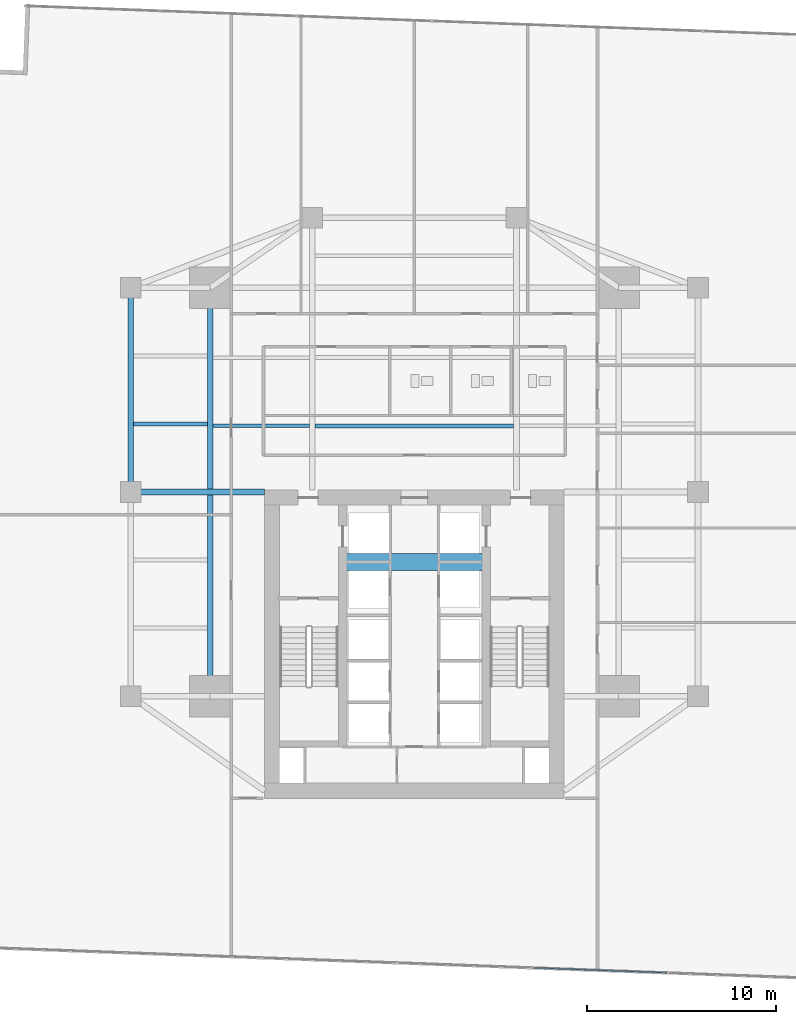
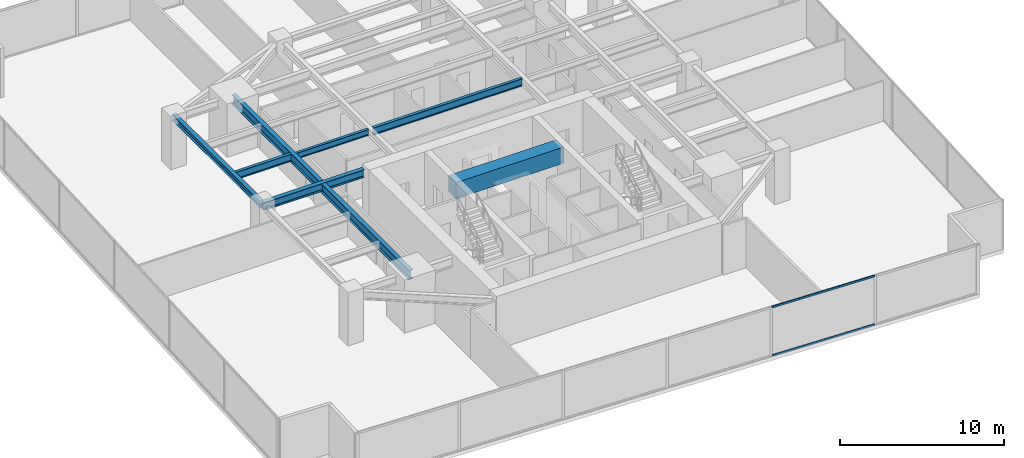
# One storey, part 11 of 30: 7 beams, 2 members, 1 element without a shape of its own.
"""IFC4 building model written with IfcOpenShell, lengths in metres."""

import ifcopenshell
import ifcopenshell.guid

model = None  # the IFC model being written
_history = None  # IfcOwnerHistory: only IFC2X3 demands one
_inside = {}  # id of a spatial element -> (the spatial element, [elements in it])
_under = {}  # id of a project, library or spatial element -> (it, [spatial elements below it])
_declared = {}  # id of a project -> (the project, [libraries it declares])
_typed = {}  # id of a type object -> (the type object, [elements of that type])
_made_of = {}  # id of a material, layer set ... -> (it, [elements and type objects made of it])


def new_model(schema):
    """Start an empty IFC model of exactly this schema.

    Asked for "IFC4X3", IfcOpenShell would pick the latest addendum, in which some entities
    have other attributes; the version numbers below select the first issue.
    IFC2X3 requires an IfcOwnerHistory on every rooted entity: one is made here for all.
    """
    global model, _history
    if schema == "IFC4X3":
        model = ifcopenshell.file(schema_version=(4, 3, 0, 0))
    else:
        model = ifcopenshell.file(schema=schema)
    _inside.clear()
    _under.clear()
    _declared.clear()
    _typed.clear()
    _made_of.clear()
    _history = None
    if model.schema == "IFC2X3":
        org = make("IfcOrganization", Name="unknown")
        user = make(
            "IfcPersonAndOrganization",
            ThePerson=make("IfcPerson", FamilyName="unknown"),
            TheOrganization=org,
        )
        app = make(
            "IfcApplication",
            ApplicationDeveloper=org,
            Version="unknown",
            ApplicationFullName="unknown",
            ApplicationIdentifier="unknown",
        )
        _history = make(
            "IfcOwnerHistory",
            OwningUser=user,
            OwningApplication=app,
            ChangeAction="ADDED",
            CreationDate=0,
        )
    return model


def make(cls, **values):
    """One entity of the class cls with the attributes given. An attribute that is None is left unset."""
    return model.create_entity(
        cls, **{name: value for name, value in values.items() if value is not None}
    )


def rooted(cls, **values):
    """An entity with a GlobalId (a new one), such as an element, a storey or a relation."""
    return make(cls, GlobalId=ifcopenshell.guid.new(), OwnerHistory=_history, **values)


def si_unit(unit_type, name, prefix=None):
    """IfcSIUnit, for example si_unit("LENGTHUNIT", "METRE", prefix="MILLI")."""
    return make("IfcSIUnit", UnitType=unit_type, Prefix=prefix, Name=name)


def assignment(units):
    """IfcUnitAssignment: the units of a project."""
    return None if units is None else make("IfcUnitAssignment", Units=units)


def point(xyz):
    """IfcCartesianPoint."""
    return None if xyz is None else make("IfcCartesianPoint", Coordinates=xyz)


def direction(xyz):
    """IfcDirection."""
    return None if xyz is None else make("IfcDirection", DirectionRatios=xyz)


def frame(location, z_axis=None, x_axis=None):
    """IfcAxis2Placement3D, a coordinate frame: its origin and axes. An axis left out is left unset."""
    return make(
        "IfcAxis2Placement3D",
        Location=point(location),
        Axis=direction(z_axis),
        RefDirection=direction(x_axis),
    )


def frame_2d(location, x_axis=None):
    """IfcAxis2Placement2D, a coordinate frame in the plane: its origin and x axis."""
    return make(
        "IfcAxis2Placement2D", Location=point(location), RefDirection=direction(x_axis)
    )


def origin():
    """The frame at (0, 0, 0) with its axes left unset."""
    return frame((0.0, 0.0, 0.0))


def origin_2d():
    """The frame at (0, 0) in the plane with its x axis left unset."""
    return frame_2d((0.0, 0.0))


def place(relative_to, where):
    """IfcLocalPlacement: puts the frame where relative to a parent placement (None: the world)."""
    return make(
        "IfcLocalPlacement", PlacementRelTo=relative_to, RelativePlacement=where
    )


def context(
    kind, dimensions, precision=None, world=None, true_north=None, identifier=None
):
    """IfcGeometricRepresentationContext, for example the 3D "Model" context."""
    return make(
        "IfcGeometricRepresentationContext",
        ContextIdentifier=identifier,
        ContextType=kind,
        CoordinateSpaceDimension=dimensions,
        Precision=precision,
        WorldCoordinateSystem=world,
        TrueNorth=true_north,
    )


def subcontext(parent, identifier, kind, view, scale=None):
    """IfcGeometricRepresentationSubContext, for example "Body" below "Model"."""
    return make(
        "IfcGeometricRepresentationSubContext",
        ContextIdentifier=identifier,
        ContextType=kind,
        ParentContext=parent,
        TargetScale=scale,
        TargetView=view,
    )


def project(units=None, contexts=None):
    """IfcProject with its units and contexts."""
    return rooted(
        "IfcProject",
        Name="project",
        RepresentationContexts=contexts,
        UnitsInContext=assignment(units),
    )


def spatial(cls, under=None, at=None, **own):
    """A site, building, storey or space (cls), placed at a placement, below another one or the project."""
    s = rooted(cls, ObjectPlacement=at, **own)
    if under is not None:
        _under.setdefault(under.id(), (under, []))[1].append(s)
    return s


def profile(cls, at=None, kind="AREA", **sizes):
    """A parametric profile (cls). Its sizes go by their IFC names, for example OverallWidth=200.0."""
    return make(cls, ProfileType=kind, Position=at, **sizes)


def rectangle(**sizes):
    """IfcRectangleProfileDef."""
    return profile("IfcRectangleProfileDef", **sizes)


def hollow_rectangle(**sizes):
    """IfcRectangleHollowProfileDef."""
    return profile("IfcRectangleHollowProfileDef", **sizes)


def i_section(**sizes):
    """IfcIShapeProfileDef."""
    return profile("IfcIShapeProfileDef", **sizes)


def extrude(swept, where, along, depth):
    """IfcExtrudedAreaSolid: the profile swept, set in the frame where, extruded along a direction by depth."""
    return make(
        "IfcExtrudedAreaSolid",
        SweptArea=swept,
        Position=where,
        ExtrudedDirection=direction(along),
        Depth=depth,
    )


def shape(context_of_items, identifier, shape_type, items):
    """IfcShapeRepresentation: the items that make up one representation, for example the "Body"."""
    return make(
        "IfcShapeRepresentation",
        ContextOfItems=context_of_items,
        RepresentationIdentifier=identifier,
        RepresentationType=shape_type,
        Items=items,
    )


def source(mapping_origin, context_of_items, identifier, shape_type, items):
    """IfcRepresentationMap: a shape defined once, which mapped items show again and again."""
    return make(
        "IfcRepresentationMap",
        MappingOrigin=mapping_origin,
        MappedRepresentation=shape(context_of_items, identifier, shape_type, items),
    )


def transform(
    local_origin,
    x_axis=None,
    y_axis=None,
    z_axis=None,
    scale=None,
    scale2=None,
    scale3=None,
    uniform=True,
):
    """IfcCartesianTransformationOperator3D, or its non-uniform kind. x_axis, y_axis, z_axis: its Axis1, 2, 3."""
    if uniform:
        return make(
            "IfcCartesianTransformationOperator3D",
            Axis1=direction(x_axis),
            Axis2=direction(y_axis),
            LocalOrigin=point(local_origin),
            Scale=scale,
            Axis3=direction(z_axis),
        )
    return make(
        "IfcCartesianTransformationOperator3DnonUniform",
        Axis1=direction(x_axis),
        Axis2=direction(y_axis),
        LocalOrigin=point(local_origin),
        Scale=scale,
        Axis3=direction(z_axis),
        Scale2=scale2,
        Scale3=scale3,
    )


def mapped(mapping_source, mapping_target):
    """IfcMappedItem: shows the shape of a source again, moved by a transform."""
    return make(
        "IfcMappedItem", MappingSource=mapping_source, MappingTarget=mapping_target
    )


def material(Name=None, Category=None):
    """IfcMaterial."""
    return make("IfcMaterial", Name=Name, Category=Category)


def material_profile(
    of_material, cross_section, Name=None, Category=None, Priority=None
):
    """IfcMaterialProfile: a cross section and its material."""
    return make(
        "IfcMaterialProfile",
        Name=Name,
        Material=of_material,
        Profile=cross_section,
        Priority=Priority,
        Category=Category,
    )


def profile_set(profiles, Name=None, composite=None):
    """IfcMaterialProfileSet."""
    return make(
        "IfcMaterialProfileSet",
        Name=Name,
        MaterialProfiles=profiles,
        CompositeProfile=composite,
    )


def made_of(thing, what):
    """Note that an element or type object is made of a material, layer set ...; save() writes the relation."""
    if what is not None:
        _made_of.setdefault(what.id(), (what, []))[1].append(thing)
    return thing


def type_object(cls, material=None, **own):
    """A type object (cls), such as IfcWallType, which elements share."""
    return made_of(rooted(cls, **own), material)


def type_shapes(of_type, sources):
    """Give a type object the sources (RepresentationMaps) that its elements show as mapped items."""
    of_type.RepresentationMaps = sources


def element(
    cls,
    number,
    at=None,
    inside=None,
    cuts=None,
    type_object=None,
    material=None,
    context=None,
    identifier="Body",
    shape_type=None,
    held_by="IfcProductDefinitionShape",
    body=None,
    shapes=None,
    **own,
):
    """One element of the class cls, such as IfcWall. Its Tag is "e" and its number.

    at: its placement. inside: the storey or other place that contains it. cuts: it is an
    opening in that element (IfcRelVoidsElement). A single representation is given by context,
    identifier, shape_type and body (its items); several are given by shapes. held_by: the class
    of the entity that holds the representations. save() writes the other relations.
    """
    e = rooted(cls, Tag="e%d" % number, ObjectPlacement=at, **own)
    if body is not None:
        shapes = [shape(context, identifier, shape_type, body)]
    if shapes is not None:
        e.Representation = make(held_by, Representations=shapes)
    if inside is not None:
        _inside.setdefault(inside.id(), (inside, []))[1].append(e)
    if cuts is not None:
        rooted(
            "IfcRelVoidsElement", RelatingBuildingElement=cuts, RelatedOpeningElement=e
        )
    if type_object is not None:
        _typed.setdefault(type_object.id(), (type_object, []))[1].append(e)
    return made_of(e, material)


def aggregate(whole, parts):
    """IfcRelAggregates: a whole, such as a stair, and the parts it consists of."""
    return rooted("IfcRelAggregates", RelatingObject=whole, RelatedObjects=parts)


def save(model, path):
    """Write the relations noted so far, then the file.

    IfcRelAggregates (storeys below a building ...), IfcRelContainedInSpatialStructure (elements
    in a storey), IfcRelDefinesByType, IfcRelAssociatesMaterial and IfcRelDeclares: one each for
    every whole, place, type object, material and project.
    """
    for whole, parts in _under.values():
        aggregate(whole, parts)
    for where, things in _inside.values():
        rooted(
            "IfcRelContainedInSpatialStructure",
            RelatedElements=things,
            RelatingStructure=where,
        )
    for kind, things in _typed.values():
        rooted("IfcRelDefinesByType", RelatedObjects=things, RelatingType=kind)
    for what, things in _made_of.values():
        rooted("IfcRelAssociatesMaterial", RelatedObjects=things, RelatingMaterial=what)
    for by, libraries in _declared.values():
        rooted("IfcRelDeclares", RelatingContext=by, RelatedDefinitions=libraries)
    model.write(path)


model = new_model("IFC4")

# Units and contexts
model_context = context("Model", 3, precision=1e-05, world=origin(), true_north=direction((0.0, 1.0)))
body_context = subcontext(model_context, "Body", "Model", "MODEL_VIEW")
ifc_project = project(units=[si_unit("LENGTHUNIT", "METRE"), si_unit("AREAUNIT", "SQUARE_METRE"), si_unit("VOLUMEUNIT", "CUBIC_METRE"), si_unit("PLANEANGLEUNIT", "RADIAN"), si_unit("MASSUNIT", "GRAM", prefix="KILO")], contexts=[model_context])

# Site, building, storey
site_placement = place(None, origin())
site = spatial("IfcSite", under=ifc_project, at=site_placement, CompositionType="ELEMENT")
building_placement = place(site_placement, origin())
building = spatial("IfcBuilding", under=site, at=building_placement, Name="Krantzveldt Concourse Tower", CompositionType="ELEMENT")
storey_placement = place(building_placement, frame((0.0, 0.0, 36.85009765625)))
storey = spatial("IfcBuildingStorey", under=building, at=storey_placement, Name="L08", CompositionType="ELEMENT", Elevation=36.85009765625)

# Beams
ifc_material_1 = material(Name="Concrete C50/60", Category="concrete")
ifc_material_profile_1 = material_profile(ifc_material_1, rectangle(XDim=0.89990234375, YDim=1.199951171875, at=origin_2d()), Name="Concrete C50/60", Category="concrete")
ifc_profile_set_1 = profile_set([ifc_material_profile_1], Name="Concrete C50/60 - RC-CB 900x1200")
beam_type_1 = type_object("IfcBeamType", Name="BM-CB-1200", PredefinedType="LINTEL", material=ifc_profile_set_1)
shared_shape_1 = source(origin(), body_context, "Body", "SweptSolid", [
    extrude(rectangle(XDim=0.89990234375, YDim=1.199951171875, at=origin_2d()), origin(), (0.0, 0.0, 1.0), 7.580078125),
])
type_shapes(beam_type_1, [shared_shape_1])
beam_1_placement = place(storey_placement, frame((32.2099609375, 23.0, 3.06982421875), z_axis=(1.0, 0.0, 0.0), x_axis=(0.0, 1.0, 0.0)))
element("IfcBeam", 1, at=beam_1_placement, inside=storey, type_object=beam_type_1, Name="CB-L08-01", PredefinedType="LINTEL", context=body_context, shape_type="MappedRepresentation", body=[
    mapped(shared_shape_1, transform((0.0, 0.0, 0.0), x_axis=(1.0, 0.0, 0.0), y_axis=(0.0, 1.0, 0.0), z_axis=(0.0, 0.0, 1.0), scale=1.0)),
])
ifc_material_2 = material(Name="Steel S355J2", Category="steel")
ifc_material_profile_2 = material_profile(ifc_material_2, i_section(OverallWidth=0.300048828125, OverallDepth=0.699951171875, WebThickness=0.01708984375, FlangeThickness=0.031982421875, FilletRadius=0.027099609375, at=origin_2d()), Name="Steel S355J2", Category="steel")
ifc_profile_set_2 = profile_set([ifc_material_profile_2], Name="Steel S355J2 - HEB 700")
beam_type_2 = type_object("IfcBeamType", Name="BM-B-HEB700", PredefinedType="BEAM", material=ifc_profile_set_2)
shared_shape_2 = source(origin(), body_context, "Body", "SweptSolid", [
    extrude(i_section(OverallWidth=0.300048828125, OverallDepth=0.699951171875, WebThickness=0.01708984375, FlangeThickness=0.031982421875, FilletRadius=0.027099609375, at=origin_2d()), origin(), (0.0, 0.0, 1.0), 21.60009765625),
])
type_shapes(beam_type_2, [shared_shape_2])
beam_2_placement = place(storey_placement, frame((25.199951171875, 15.89990234375, 3.31982421875), z_axis=(0.0, 1.0, 0.0), x_axis=(-1.0, 0.0, 0.0)))
element("IfcBeam", 2, at=beam_2_placement, inside=storey, type_object=beam_type_2, Name="L08 Tower Girder BG-MW", PredefinedType="BEAM", context=body_context, shape_type="MappedRepresentation", body=[
    mapped(shared_shape_2, transform((0.0, 0.0, 0.0), x_axis=(1.0, 0.0, 0.0), y_axis=(0.0, 1.0, 0.0), z_axis=(0.0, 0.0, 1.0), scale=1.0)),
])
ifc_material_3 = material(Name="Steel S355JR", Category="steel")
ifc_material_profile_3 = material_profile(ifc_material_3, i_section(OverallWidth=0.300048828125, OverallDepth=0.590087890625, WebThickness=0.012939453125, FlangeThickness=0.02490234375, FilletRadius=0.027099609375, at=origin_2d()), Name="Steel S355JR", Category="steel")
ifc_profile_set_3 = profile_set([ifc_material_profile_3], Name="Steel S355JR - HEA 600")
beam_type_3 = type_object("IfcBeamType", Name="BM-B-HEA600", PredefinedType="BEAM", material=ifc_profile_set_3)
shared_shape_3 = source(origin(), body_context, "Body", "SweptSolid", [
    extrude(i_section(OverallWidth=0.300048828125, OverallDepth=0.590087890625, WebThickness=0.012939453125, FlangeThickness=0.02490234375, FilletRadius=0.027099609375, at=origin_2d()), origin(), (0.0, 0.0, 1.0), 7.080078125),
])
type_shapes(beam_type_3, [shared_shape_3])
beam_3_placement = place(storey_placement, frame((21.0, 26.699951171875, 3.375), z_axis=(1.0, 0.0, 0.0), x_axis=(0.0, 1.0, 0.0)))
element("IfcBeam", 3, at=beam_3_placement, inside=storey, type_object=beam_type_3, Name="L08 Tower Girder BG-CW2", PredefinedType="BEAM", context=body_context, shape_type="MappedRepresentation", body=[
    mapped(shared_shape_3, transform((0.0, 0.0, 0.0), x_axis=(1.0, 0.0, 0.0), y_axis=(0.0, 1.0, 0.0), z_axis=(0.0, 0.0, 1.0), scale=1.0)),
])
ifc_material_profile_4 = material_profile(ifc_material_3, i_section(OverallWidth=0.300048828125, OverallDepth=0.43994140625, WebThickness=0.011474609375, FlangeThickness=0.02099609375, FilletRadius=0.027099609375, at=origin_2d()), Name="Steel S355JR", Category="steel")
ifc_profile_set_4 = profile_set([ifc_material_profile_4], Name="Steel S355JR - HEA 450")
beam_type_4 = type_object("IfcBeamType", Name="BM-SP-HEA450", PredefinedType="SPANDREL", material=ifc_profile_set_4)
shared_shape_4 = source(origin(), body_context, "Body", "SweptSolid", [
    extrude(i_section(OverallWidth=0.300048828125, OverallDepth=0.43994140625, WebThickness=0.011474609375, FlangeThickness=0.02099609375, FilletRadius=0.027099609375, at=origin_2d()), origin(), (0.0, 0.0, 1.0), 10.800048828125),
])
type_shapes(beam_type_4, [shared_shape_4])
beam_4_placement = place(storey_placement, frame((21.0, 26.699951171875, 3.449951171875), z_axis=(0.0, 1.0, 0.0), x_axis=(-1.0, 0.0, 0.0)))
element("IfcBeam", 4, at=beam_4_placement, inside=storey, type_object=beam_type_4, Name="L08 Tower Girder SP-R02", PredefinedType="SPANDREL", context=body_context, shape_type="MappedRepresentation", body=[
    mapped(shared_shape_4, transform((0.0, 0.0, 0.0), x_axis=(1.0, 0.0, 0.0), y_axis=(0.0, 1.0, 0.0), z_axis=(0.0, 0.0, 1.0), scale=1.0)),
])
ifc_material_profile_5 = material_profile(ifc_material_3, i_section(OverallWidth=0.2099609375, OverallDepth=0.550048828125, WebThickness=0.010986328125, FlangeThickness=0.01708984375, FilletRadius=0.02392578125, at=origin_2d()), Name="Steel S355JR", Category="steel")
ifc_profile_set_5 = profile_set([ifc_material_profile_5], Name="Steel S355JR - IPE 550")
beam_type_5 = type_object("IfcBeamType", Name="BM-J-IPE550", PredefinedType="JOIST", material=ifc_profile_set_5)
shared_shape_5 = source(origin(), body_context, "Body", "SweptSolid", [
    extrude(i_section(OverallWidth=0.2099609375, OverallDepth=0.550048828125, WebThickness=0.010986328125, FlangeThickness=0.01708984375, FilletRadius=0.02392578125, at=origin_2d()), origin(), (0.0, 0.0, 1.0), 10.5),
])
beam_5_placement = place(storey_placement, frame((30.75, 30.199951171875, 3.39501953125), z_axis=(1.0, 0.0, 0.0), x_axis=(0.0, 1.0, 0.0)))
element("IfcBeam", 5, at=beam_5_placement, inside=storey, type_object=beam_type_5, Name="L08 Secondary Floor Joist JN-C1", PredefinedType="JOIST", context=body_context, shape_type="MappedRepresentation", body=[
    mapped(shared_shape_5, transform((0.0, 0.0, 0.0), x_axis=(1.0, 0.0, 0.0), y_axis=(0.0, 1.0, 0.0), z_axis=(0.0, 0.0, 1.0), scale=1.0)),
])
ifc_material_profile_6 = material_profile(ifc_material_3, i_section(OverallWidth=0.18994140625, OverallDepth=0.449951171875, WebThickness=0.009521484375, FlangeThickness=0.0146484375, FilletRadius=0.02099609375, at=origin_2d()), Name="Steel S355JR", Category="steel")
ifc_profile_set_6 = profile_set([ifc_material_profile_6], Name="Steel S355JR - IPE 450")
beam_type_6 = type_object("IfcBeamType", Name="BM-J-IPE450", PredefinedType="JOIST", material=ifc_profile_set_6)
shared_shape_6 = source(origin(), body_context, "Body", "SweptSolid", [
    extrude(i_section(OverallWidth=0.18994140625, OverallDepth=0.449951171875, WebThickness=0.009521484375, FlangeThickness=0.0146484375, FilletRadius=0.02099609375, at=origin_2d()), origin(), (0.0, 0.0, 1.0), 5.099853515625),
])
type_shapes(beam_type_6, [shared_shape_6])
beam_6_placement = place(storey_placement, frame((25.35009765625, 30.199951171875, 3.44482421875), z_axis=(1.0, 0.0, 0.0), x_axis=(0.0, 1.0, 0.0)))
element("IfcBeam", 6, at=beam_6_placement, inside=storey, type_object=beam_type_6, Name="L08 Secondary Floor Joist JN-W1", PredefinedType="JOIST", context=body_context, shape_type="MappedRepresentation", body=[
    mapped(shared_shape_6, transform((0.0, 0.0, 0.0), x_axis=(1.0, 0.0, 0.0), y_axis=(0.0, 1.0, 0.0), z_axis=(0.0, 0.0, 1.0), scale=1.0)),
])
shared_shape_7 = source(origin(), body_context, "Body", "SweptSolid", [
    extrude(i_section(OverallWidth=0.2099609375, OverallDepth=0.550048828125, WebThickness=0.010986328125, FlangeThickness=0.01708984375, FilletRadius=0.02392578125, at=origin_2d()), origin(), (0.0, 0.0, 1.0), 3.900146484375),
])
type_shapes(beam_type_5, [shared_shape_5, shared_shape_7])
beam_7_placement = place(storey_placement, frame((21.14990234375, 30.300048828125, 3.39501953125), z_axis=(1.0, 0.0, 0.0), x_axis=(0.0, 1.0, 0.0)))
element("IfcBeam", 7, at=beam_7_placement, inside=storey, type_object=beam_type_5, Name="L08 Secondary Floor Joist JW-3", PredefinedType="JOIST", context=body_context, shape_type="MappedRepresentation", body=[
    mapped(shared_shape_7, transform((0.0, 0.0, 0.0), x_axis=(1.0, 0.0, 0.0), y_axis=(0.0, 1.0, 0.0), z_axis=(0.0, 0.0, 1.0), scale=1.0)),
])

# Curtain wall, members
ifc_material_4 = material(Name="Anodised aluminium 6063-T6", Category="aluminium")
curtain_wall_type = type_object("IfcCurtainWallType", Name="CW2", PredefinedType="USERDEFINED", material=ifc_material_4)
curtain_wall_placement = place(storey_placement, origin())
curtain_wall = element("IfcCurtainWall", 8, at=curtain_wall_placement, inside=storey, type_object=curtain_wall_type, Name="CW-L08-F04", ObjectType="UNITISED CURTAIN WALL", PredefinedType="USERDEFINED")
ifc_material_profile_7 = material_profile(ifc_material_4, hollow_rectangle(XDim=0.070068359375, YDim=0.139892578125, WallThickness=0.0048828125, at=origin_2d()), Name="Anodised aluminium 6063-T6", Category="aluminium")
ifc_profile_set_7 = profile_set([ifc_material_profile_7], Name="Anodised aluminium 6063-T6 - ALU-TRAN 140x70x5")
member_type = type_object("IfcMemberType", Name="CW-TRN-150", PredefinedType="USERDEFINED", material=ifc_profile_set_7)
shared_shape_8 = source(origin(), body_context, "Body", "SweptSolid", [
    extrude(hollow_rectangle(XDim=0.070068359375, YDim=0.139892578125, WallThickness=0.0048828125, at=origin_2d()), origin(), (0.0, 0.0, 1.0), 7.0966796875),
])
type_shapes(member_type, [shared_shape_8])
member_1_placement = place(storey_placement, frame((42.27294921875, 1.5400390625, 0.034912109375), z_axis=(0.999312097724, -0.037085459975, 0.0), x_axis=(0.037085459975, 0.999312097724, 0.0)))
member_1 = element("IfcMember", 9, at=member_1_placement, type_object=member_type, Name="CW-Z12 transom 5.1", ObjectType="TRANSOM", PredefinedType="USERDEFINED", context=body_context, shape_type="MappedRepresentation", body=[
    mapped(shared_shape_8, transform((0.0, 0.0, 0.0), x_axis=(1.0, 0.0, 0.0), y_axis=(0.0, 1.0, 0.0), z_axis=(0.0, 0.0, 1.0), scale=1.0)),
])
member_2_placement = place(storey_placement, frame((42.27294921875, 1.5400390625, 3.635009765625), z_axis=(0.999312097724, -0.037085459975, 0.0), x_axis=(0.037085459975, 0.999312097724, 0.0)))
member_2 = element("IfcMember", 10, at=member_2_placement, type_object=member_type, Name="CW-Z12 transom 5.2", ObjectType="TRANSOM", PredefinedType="USERDEFINED", context=body_context, shape_type="MappedRepresentation", body=[
    mapped(shared_shape_8, transform((0.0, 0.0, 0.0), x_axis=(1.0, 0.0, 0.0), y_axis=(0.0, 1.0, 0.0), z_axis=(0.0, 0.0, 1.0), scale=1.0)),
])
aggregate(curtain_wall, [member_1, member_2])

save(model, "model.ifc")
